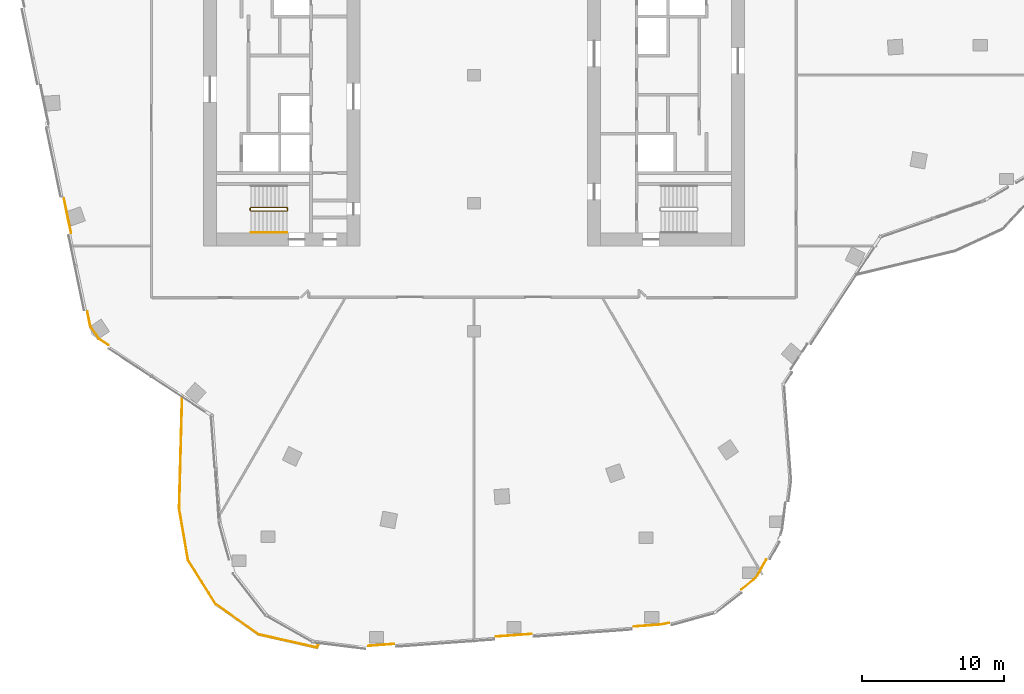
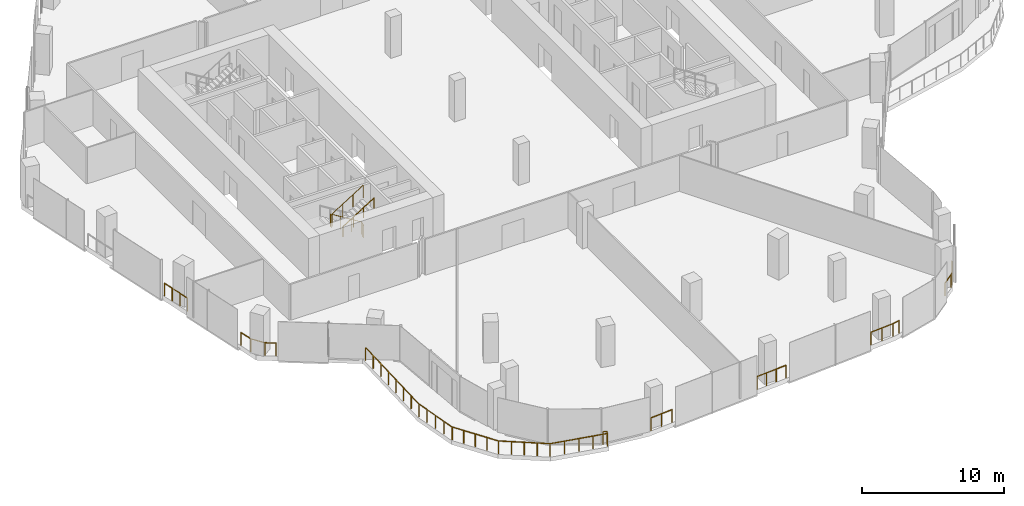
# One storey, part 22 of 26: 9 railings.
"""IFC4 building model written with IfcOpenShell, lengths in metres."""

from ifc_helpers import new_model, si_unit, direction, frame, origin, origin_2d, place, context, subcontext, project, spatial, circle, extrude, material, type_object, element, save


model = new_model("IFC4")

# Units and contexts
model_context = context("Model", 3, precision=1e-05, world=origin(), true_north=direction((0.0, 1.0)))
body_context = subcontext(model_context, "Body", "Model", "MODEL_VIEW")
ifc_project = project(units=[si_unit("LENGTHUNIT", "METRE"), si_unit("AREAUNIT", "SQUARE_METRE"), si_unit("VOLUMEUNIT", "CUBIC_METRE"), si_unit("PLANEANGLEUNIT", "RADIAN"), si_unit("MASSUNIT", "GRAM", prefix="KILO")], contexts=[model_context])

# Site, building, storey
site_placement = place(None, origin())
site = spatial("IfcSite", under=ifc_project, at=site_placement, CompositionType="ELEMENT")
building_placement = place(site_placement, origin())
building = spatial("IfcBuilding", under=site, at=building_placement, Name="Orlundy Tower", CompositionType="ELEMENT")
storey_placement = place(building_placement, frame((0.0, 0.0, 232.0)))
storey = spatial("IfcBuildingStorey", under=building, at=storey_placement, Name="L61", CompositionType="ELEMENT", Elevation=232.0)

# Railings
ifc_material_1 = material(Name="Steel balustrade", Category="steel")
railing_type_1 = type_object("IfcRailingType", Name="Stair Guard 1100", PredefinedType="GUARDRAIL", material=ifc_material_1)
railing_1_placement = place(storey_placement, frame((-13.090087890625, -9.35009765625, 0.0)))
element("IfcRailing", 1, at=railing_1_placement, inside=storey, type_object=railing_type_1, Name="L61 ST-W2 stair guard 1", PredefinedType="GUARDRAIL", context=body_context, shape_type="SweptSolid", body=[
    extrude(circle(Radius=0.02392578125, at=origin_2d()), frame((0.0, 0.0, 1.076171875), z_axis=(0.0, -1.0, 0.0), x_axis=(1.0, 0.0, 0.0)), (0.0, 0.0, 1.0), 0.14990234375),
    extrude(circle(Radius=0.02392578125, at=origin_2d()), frame((0.0, -0.14990234375, 1.076171875), z_axis=(-0.18420542264, 0.739530593833, 0.647427882513), x_axis=(-0.970351222016, -0.241699205484, 0.0)), (0.0, 0.0, 1.0), 0.270263671875),
    extrude(circle(Radius=0.02392578125, at=origin_2d()), frame((-0.0498046875, 0.050048828125, 1.2509765625), z_axis=(-0.848007534815, 0.0, 0.529984170421), x_axis=(0.0, -1.0, 0.0)), (0.0, 0.0, 1.0), 2.9716796875),
    extrude(circle(Radius=0.02392578125, at=origin_2d()), frame((-2.56982421875, 0.050048828125, 2.826171875), z_axis=(-0.707106781187, -0.707106781187, 0.0), x_axis=(0.707106781187, -0.707106781187, 0.0)), (0.0, 0.0, 1.0), 0.07080078125),
    extrude(circle(Radius=0.02392578125, at=origin_2d()), frame((-2.619873046875, 0.0, 2.826171875), z_axis=(0.0, -1.0, 0.0), x_axis=(1.0, 0.0, 0.0)), (0.0, 0.0, 1.0), 0.14990234375),
    extrude(circle(Radius=0.02392578125, at=origin_2d()), frame((-2.619873046875, -0.14990234375, 2.826171875), z_axis=(0.265065253269, -0.265065253269, 0.927081885822), x_axis=(0.707106781187, 0.707106781187, 0.0)), (0.0, 0.0, 1.0), 0.188720703125),
    extrude(circle(Radius=0.02392578125, at=origin_2d()), frame((-2.56982421875, -0.199951171875, 3.0009765625), z_axis=(0.848007534815, 0.0, 0.529984170421), x_axis=(0.0, 1.0, 0.0)), (0.0, 0.0, 1.0), 2.9716796875),
    extrude(circle(Radius=0.02099609375, at=origin_2d()), origin(), (0.0, 0.0, 1.0), 1.052001953125),
    extrude(circle(Radius=0.02099609375, at=origin_2d()), frame((0.0, -0.14990234375, 0.0)), (0.0, 0.0, 1.0), 1.052001953125),
    extrude(circle(Radius=0.02099609375, at=origin_2d()), frame((-0.0498046875, 0.050048828125, 0.175048828125)), (0.0, 0.0, 1.0), 1.052001953125),
    extrude(circle(Radius=0.02099609375, at=origin_2d()), frame((-0.889892578125, 0.050048828125, 0.699951171875)), (0.0, 0.0, 1.0), 1.052001953125),
    extrude(circle(Radius=0.02099609375, at=origin_2d()), frame((-1.729736328125, 0.050048828125, 1.22509765625)), (0.0, 0.0, 1.0), 1.052001953125),
    extrude(circle(Radius=0.02099609375, at=origin_2d()), frame((-2.56982421875, 0.050048828125, 1.75)), (0.0, 0.0, 1.0), 1.052001953125),
    extrude(circle(Radius=0.02099609375, at=origin_2d()), frame((-2.619873046875, 0.0, 1.75)), (0.0, 0.0, 1.0), 1.052001953125),
    extrude(circle(Radius=0.02099609375, at=origin_2d()), frame((-2.619873046875, -0.14990234375, 1.75)), (0.0, 0.0, 1.0), 1.052001953125),
    extrude(circle(Radius=0.02099609375, at=origin_2d()), frame((-2.56982421875, -0.199951171875, 1.925048828125)), (0.0, 0.0, 1.0), 1.052001953125),
    extrude(circle(Radius=0.02099609375, at=origin_2d()), frame((-1.729736328125, -0.199951171875, 2.449951171875)), (0.0, 0.0, 1.0), 1.052001953125),
    extrude(circle(Radius=0.02099609375, at=origin_2d()), frame((-0.889892578125, -0.199951171875, 2.97509765625)), (0.0, 0.0, 1.0), 1.052001953125),
    extrude(circle(Radius=0.02099609375, at=origin_2d()), frame((-0.0498046875, -0.199951171875, 3.5)), (0.0, 0.0, 1.0), 1.052001953125),
])
ifc_material_2 = material(Name="Steel handrail", Category="steel")
railing_type_2 = type_object("IfcRailingType", Name="Stair Handrail 900", PredefinedType="HANDRAIL", material=ifc_material_2)
railing_2_placement = place(storey_placement, frame((-15.659912109375, -11.050048828125, 1.925048828125)))
element("IfcRailing", 2, at=railing_2_placement, inside=storey, type_object=railing_type_2, Name="L61 ST-W2 stair handrail 2", PredefinedType="HANDRAIL", context=body_context, shape_type="SweptSolid", body=[
    extrude(circle(Radius=0.02392578125, at=origin_2d()), frame((0.0, 0.0, 0.8759765625), z_axis=(0.848007534815, 0.0, 0.529984170421), x_axis=(0.0, 1.0, 0.0)), (0.0, 0.0, 1.0), 2.9716796875),
    extrude(circle(Radius=0.02099609375, at=origin_2d()), origin(), (0.0, 0.0, 1.0), 0.851806640625),
    extrude(circle(Radius=0.02099609375, at=origin_2d()), frame((0.840087890625, 0.0, 0.52490234375)), (0.0, 0.0, 1.0), 0.851806640625),
    extrude(circle(Radius=0.02099609375, at=origin_2d()), frame((1.679931640625, 0.0, 1.050048828125)), (0.0, 0.0, 1.0), 0.851806640625),
    extrude(circle(Radius=0.02099609375, at=origin_2d()), frame((2.52001953125, 0.0, 1.574951171875)), (0.0, 0.0, 1.0), 0.851806640625),
])
ifc_material_3 = material(Name="Stainless steel bronze finish", Category="steel")
railing_type_3 = type_object("IfcRailingType", Name="TG1 terrace guard", PredefinedType="GUARDRAIL", material=ifc_material_3)
railing_3_placement = place(storey_placement, frame((-25.669677734375, -18.9755859375, 0.0)))
element("IfcRailing", 3, at=railing_3_placement, inside=storey, type_object=railing_type_3, Name="Guard TG-L61-E01", PredefinedType="GUARDRAIL", context=body_context, shape_type="SweptSolid", body=[
    extrude(circle(Radius=0.02490234375, at=origin_2d()), frame((0.0, 0.0, 1.09521484375), z_axis=(-0.835458161843, 0.549554055404, 0.0), x_axis=(-0.549554055404, -0.835458161843, 0.0)), (0.0, 0.0, 1.0), 0.789794921875),
    extrude(circle(Radius=0.02490234375, at=origin_2d()), frame((-0.659912109375, 0.43408203125, 1.09521484375), z_axis=(-0.561431505921, 0.827523210647, 0.0), x_axis=(-0.827523210647, -0.561431505921, 0.0)), (0.0, 0.0, 1.0), 1.110107421875),
    extrude(circle(Radius=0.02490234375, at=origin_2d()), frame((-1.283203125, 1.352783203125, 1.09521484375), z_axis=(-0.202022614174, 0.979380857155, 0.0), x_axis=(-0.979380857155, -0.202022614174, 0.0)), (0.0, 0.0, 1.0), 1.02490234375),
    extrude(circle(Radius=0.02001953125, at=origin_2d()), origin(), (0.0, 0.0, 1.0), 1.070068359375),
    extrude(circle(Radius=0.02001953125, at=origin_2d()), frame((-0.659912109375, 0.43408203125, 0.0)), (0.0, 0.0, 1.0), 1.070068359375),
    extrude(circle(Radius=0.02001953125, at=origin_2d()), frame((-1.283203125, 1.352783203125, 0.0)), (0.0, 0.0, 1.0), 1.070068359375),
    extrude(circle(Radius=0.02001953125, at=origin_2d()), frame((-1.490234375, 2.3564453125, 0.0)), (0.0, 0.0, 1.0), 1.070068359375),
])
railing_4_placement = place(storey_placement, frame((20.54296875, -34.050048828125, 0.0)))
element("IfcRailing", 4, at=railing_4_placement, inside=storey, type_object=railing_type_3, Name="Guard TG-L61-E02", PredefinedType="GUARDRAIL", context=body_context, shape_type="SweptSolid", body=[
    extrude(circle(Radius=0.02490234375, at=origin_2d()), frame((0.0, 0.0, 1.09521484375), z_axis=(-0.49381777475, -0.869565411767, 0.0), x_axis=(0.869565411767, -0.49381777475, 0.0)), (0.0, 0.0, 1.0), 1.26953125),
    extrude(circle(Radius=0.02490234375, at=origin_2d()), frame((-0.626953125, -1.10400390625, 1.09521484375), z_axis=(-0.6445483772, -0.76456352872, 0.0), x_axis=(0.76456352872, -0.6445483772, 0.0)), (0.0, 0.0, 1.0), 0.400634765625),
    extrude(circle(Radius=0.02490234375, at=origin_2d()), frame((-0.88525390625, -1.410400390625, 1.09521484375), z_axis=(-0.788907134467, -0.614512435339, 0.0), x_axis=(0.614512435339, -0.788907134467, 0.0)), (0.0, 0.0, 1.0), 1.09326171875),
    extrude(circle(Radius=0.02001953125, at=origin_2d()), origin(), (0.0, 0.0, 1.0), 1.070068359375),
    extrude(circle(Radius=0.02001953125, at=origin_2d()), frame((-0.3134765625, -0.552001953125, 0.0)), (0.0, 0.0, 1.0), 1.070068359375),
    extrude(circle(Radius=0.02001953125, at=origin_2d()), frame((-0.626953125, -1.10400390625, 0.0)), (0.0, 0.0, 1.0), 1.070068359375),
    extrude(circle(Radius=0.02001953125, at=origin_2d()), frame((-0.88525390625, -1.410400390625, 0.0)), (0.0, 0.0, 1.0), 1.070068359375),
    extrude(circle(Radius=0.02001953125, at=origin_2d()), frame((-1.747802734375, -2.082275390625, 0.0)), (0.0, 0.0, 1.0), 1.070068359375),
])
railing_5_placement = place(storey_placement, frame((4.05126953125, -39.269775390625, 0.0)))
element("IfcRailing", 5, at=railing_5_placement, inside=storey, type_object=railing_type_3, Name="Guard TG-L61-E07", PredefinedType="GUARDRAIL", context=body_context, shape_type="SweptSolid", body=[
    extrude(circle(Radius=0.02490234375, at=origin_2d()), frame((0.0, 0.0, 1.09521484375), z_axis=(-0.997357027619, -0.072656448163, 0.0), x_axis=(0.072656448163, -0.997357027619, 0.0)), (0.0, 0.0, 1.0), 2.486572265625),
    extrude(circle(Radius=0.02001953125, at=origin_2d()), origin(), (0.0, 0.0, 1.0), 1.070068359375),
    extrude(circle(Radius=0.02001953125, at=origin_2d()), frame((-0.82666015625, -0.060302734375, 0.0)), (0.0, 0.0, 1.0), 1.070068359375),
    extrude(circle(Radius=0.02001953125, at=origin_2d()), frame((-1.6533203125, -0.120361328125, 0.0)), (0.0, 0.0, 1.0), 1.070068359375),
    extrude(circle(Radius=0.02001953125, at=origin_2d()), frame((-2.47998046875, -0.1806640625, 0.0)), (0.0, 0.0, 1.0), 1.070068359375),
])
railing_6_placement = place(storey_placement, frame((13.698974609375, -38.4931640625, 0.0)))
element("IfcRailing", 6, at=railing_6_placement, inside=storey, type_object=railing_type_3, Name="Guard TG-L61-E08", PredefinedType="GUARDRAIL", context=body_context, shape_type="SweptSolid", body=[
    extrude(circle(Radius=0.02490234375, at=origin_2d()), frame((0.0, 0.0, 1.09521484375), z_axis=(-0.979682482067, -0.200554816276, 0.0), x_axis=(0.200554816276, -0.979682482067, 0.0)), (0.0, 0.0, 1.0), 0.571044921875),
    extrude(circle(Radius=0.02490234375, at=origin_2d()), frame((-0.559326171875, -0.114501953125, 1.09521484375), z_axis=(-0.997358228376, -0.072639963454, 0.0), x_axis=(0.072639963454, -0.997358228376, 0.0)), (0.0, 0.0, 1.0), 1.90576171875),
    extrude(circle(Radius=0.02001953125, at=origin_2d()), origin(), (0.0, 0.0, 1.0), 1.070068359375),
    extrude(circle(Radius=0.02001953125, at=origin_2d()), frame((-0.559326171875, -0.114501953125, 0.0)), (0.0, 0.0, 1.0), 1.070068359375),
    extrude(circle(Radius=0.02001953125, at=origin_2d()), frame((-1.509765625, -0.18359375, 0.0)), (0.0, 0.0, 1.0), 1.070068359375),
    extrude(circle(Radius=0.02001953125, at=origin_2d()), frame((-2.4599609375, -0.2529296875, 0.0)), (0.0, 0.0, 1.0), 1.070068359375),
])
railing_7_placement = place(storey_placement, frame((-28.30419921875, -11.07861328125, 0.0)))
element("IfcRailing", 7, at=railing_7_placement, inside=storey, type_object=railing_type_3, Name="Guard TG-L61-E09", PredefinedType="GUARDRAIL", context=body_context, shape_type="SweptSolid", body=[
    extrude(circle(Radius=0.02490234375, at=origin_2d()), frame((0.0, 0.0, 1.09521484375), z_axis=(-0.202248378542, 0.97933426029, 0.0), x_axis=(-0.97933426029, -0.202248378542, 0.0)), (0.0, 0.0, 1.0), 2.44091796875),
    extrude(circle(Radius=0.02001953125, at=origin_2d()), origin(), (0.0, 0.0, 1.0), 1.070068359375),
    extrude(circle(Radius=0.02001953125, at=origin_2d()), frame((-0.16455078125, 0.796875, 0.0)), (0.0, 0.0, 1.0), 1.070068359375),
    extrude(circle(Radius=0.02001953125, at=origin_2d()), frame((-0.3291015625, 1.593505859375, 0.0)), (0.0, 0.0, 1.0), 1.070068359375),
    extrude(circle(Radius=0.02001953125, at=origin_2d()), frame((-0.49365234375, 2.390380859375, 0.0)), (0.0, 0.0, 1.0), 1.070068359375),
])
railing_8_placement = place(storey_placement, frame((-5.6220703125, -39.974609375, 0.0)))
element("IfcRailing", 8, at=railing_8_placement, inside=storey, type_object=railing_type_3, Name="Guard TG-L61-E017", PredefinedType="GUARDRAIL", context=body_context, shape_type="SweptSolid", body=[
    extrude(circle(Radius=0.02490234375, at=origin_2d()), frame((0.0, 0.0, 1.09521484375), z_axis=(-0.997358628591, -0.072634468229, 0.0), x_axis=(0.072634468229, -0.997358628591, 0.0)), (0.0, 0.0, 1.0), 1.7880859375),
    extrude(circle(Radius=0.02001953125, at=origin_2d()), origin(), (0.0, 0.0, 1.0), 1.070068359375),
    extrude(circle(Radius=0.02001953125, at=origin_2d()), frame((-0.8916015625, -0.06494140625, 0.0)), (0.0, 0.0, 1.0), 1.070068359375),
    extrude(circle(Radius=0.02001953125, at=origin_2d()), frame((-1.783447265625, -0.1298828125, 0.0)), (0.0, 0.0, 1.0), 1.070068359375),
])
railing_9_placement = place(storey_placement, frame((-11.177001953125, -39.875244140625, 0.0)))
element("IfcRailing", 9, at=railing_9_placement, inside=storey, type_object=railing_type_3, Name="Guard TG-L61-10", PredefinedType="GUARDRAIL", context=body_context, shape_type="SweptSolid", body=[
    extrude(circle(Radius=0.02490234375, at=origin_2d()), frame((0.0, 0.0, 1.09521484375), z_axis=(0.869551916494, -0.493841537866, 0.0), x_axis=(0.493841537866, 0.869551916494, 0.0)), (0.0, 0.0, 1.0), 0.27490234375),
    extrude(circle(Radius=0.02490234375, at=origin_2d()), frame((0.239013671875, -0.1357421875, 1.09521484375), z_axis=(-0.363100739985, -0.931749887375, 0.0), x_axis=(0.931749887375, -0.363100739985, 0.0)), (0.0, 0.0, 1.0), 0.23388671875),
    extrude(circle(Radius=0.02490234375, at=origin_2d()), frame((0.154052734375, -0.353759765625, 1.09521484375), z_axis=(-0.975374269104, 0.22055619504, 0.0), x_axis=(-0.22055619504, -0.975374269104, 0.0)), (0.0, 0.0, 1.0), 4.2119140625),
    extrude(circle(Radius=0.02490234375, at=origin_2d()), frame((-3.9541015625, 0.5751953125, 1.09521484375), z_axis=(-0.816629990521, 0.577161553278, 0.0), x_axis=(-0.577161553278, -0.816629990521, 0.0)), (0.0, 0.0, 1.0), 3.666259765625),
    extrude(circle(Radius=0.02490234375, at=origin_2d()), frame((-6.947998046875, 2.691162109375, 1.09521484375), z_axis=(-0.533572191879, 0.845754524702, 0.0), x_axis=(-0.845754524702, -0.533572191879, 0.0)), (0.0, 0.0, 1.0), 3.667724609375),
    extrude(circle(Radius=0.02490234375, at=origin_2d()), frame((-8.905029296875, 5.793212890625, 1.09521484375), z_axis=(-0.169479909395, 0.985533642405, 0.0), x_axis=(-0.985533642405, -0.169479909395, 0.0)), (0.0, 0.0, 1.0), 3.67626953125),
    extrude(circle(Radius=0.02490234375, at=origin_2d()), frame((-9.528076171875, 9.416259765625, 1.09521484375), z_axis=(0.026293589396, 0.999654263812, 0.0), x_axis=(-0.999654263812, 0.026293589396, 0.0)), (0.0, 0.0, 1.0), 7.845947265625),
    extrude(circle(Radius=0.02001953125, at=origin_2d()), origin(), (0.0, 0.0, 1.0), 1.070068359375),
    extrude(circle(Radius=0.02001953125, at=origin_2d()), frame((0.239013671875, -0.1357421875, 0.0)), (0.0, 0.0, 1.0), 1.070068359375),
    extrude(circle(Radius=0.02001953125, at=origin_2d()), frame((0.154052734375, -0.353759765625, 0.0)), (0.0, 0.0, 1.0), 1.070068359375),
    extrude(circle(Radius=0.02001953125, at=origin_2d()), frame((-0.873046875, -0.12158203125, 0.0)), (0.0, 0.0, 1.0), 1.070068359375),
    extrude(circle(Radius=0.02001953125, at=origin_2d()), frame((-1.89990234375, 0.11083984375, 0.0)), (0.0, 0.0, 1.0), 1.070068359375),
    extrude(circle(Radius=0.02001953125, at=origin_2d()), frame((-2.927001953125, 0.343017578125, 0.0)), (0.0, 0.0, 1.0), 1.070068359375),
    extrude(circle(Radius=0.02001953125, at=origin_2d()), frame((-3.9541015625, 0.5751953125, 0.0)), (0.0, 0.0, 1.0), 1.070068359375),
    extrude(circle(Radius=0.02001953125, at=origin_2d()), frame((-4.70263671875, 1.104248046875, 0.0)), (0.0, 0.0, 1.0), 1.070068359375),
    extrude(circle(Radius=0.02001953125, at=origin_2d()), frame((-5.451171875, 1.63330078125, 0.0)), (0.0, 0.0, 1.0), 1.070068359375),
    extrude(circle(Radius=0.02001953125, at=origin_2d()), frame((-6.199462890625, 2.162109375, 0.0)), (0.0, 0.0, 1.0), 1.070068359375),
    extrude(circle(Radius=0.02001953125, at=origin_2d()), frame((-6.947998046875, 2.691162109375, 0.0)), (0.0, 0.0, 1.0), 1.070068359375),
    extrude(circle(Radius=0.02001953125, at=origin_2d()), frame((-7.437255859375, 3.466796875, 0.0)), (0.0, 0.0, 1.0), 1.070068359375),
    extrude(circle(Radius=0.02001953125, at=origin_2d()), frame((-7.926513671875, 4.2421875, 0.0)), (0.0, 0.0, 1.0), 1.070068359375),
    extrude(circle(Radius=0.02001953125, at=origin_2d()), frame((-8.415771484375, 5.017578125, 0.0)), (0.0, 0.0, 1.0), 1.070068359375),
    extrude(circle(Radius=0.02001953125, at=origin_2d()), frame((-8.905029296875, 5.793212890625, 0.0)), (0.0, 0.0, 1.0), 1.070068359375),
    extrude(circle(Radius=0.02001953125, at=origin_2d()), frame((-9.060791015625, 6.698974609375, 0.0)), (0.0, 0.0, 1.0), 1.070068359375),
    extrude(circle(Radius=0.02001953125, at=origin_2d()), frame((-9.216552734375, 7.604736328125, 0.0)), (0.0, 0.0, 1.0), 1.070068359375),
    extrude(circle(Radius=0.02001953125, at=origin_2d()), frame((-9.372314453125, 8.510498046875, 0.0)), (0.0, 0.0, 1.0), 1.070068359375),
    extrude(circle(Radius=0.02001953125, at=origin_2d()), frame((-9.528076171875, 9.416259765625, 0.0)), (0.0, 0.0, 1.0), 1.070068359375),
    extrude(circle(Radius=0.02001953125, at=origin_2d()), frame((-9.49853515625, 10.53662109375, 0.0)), (0.0, 0.0, 1.0), 1.070068359375),
    extrude(circle(Radius=0.02001953125, at=origin_2d()), frame((-9.46923828125, 11.6572265625, 0.0)), (0.0, 0.0, 1.0), 1.070068359375),
    extrude(circle(Radius=0.02001953125, at=origin_2d()), frame((-9.439697265625, 12.777587890625, 0.0)), (0.0, 0.0, 1.0), 1.070068359375),
    extrude(circle(Radius=0.02001953125, at=origin_2d()), frame((-9.41015625, 13.898193359375, 0.0)), (0.0, 0.0, 1.0), 1.070068359375),
    extrude(circle(Radius=0.02001953125, at=origin_2d()), frame((-9.380615234375, 15.0185546875, 0.0)), (0.0, 0.0, 1.0), 1.070068359375),
    extrude(circle(Radius=0.02001953125, at=origin_2d()), frame((-9.351318359375, 16.13916015625, 0.0)), (0.0, 0.0, 1.0), 1.070068359375),
    extrude(circle(Radius=0.02001953125, at=origin_2d()), frame((-9.32177734375, 17.259521484375, 0.0)), (0.0, 0.0, 1.0), 1.070068359375),
])

save(model, "model.ifc")
